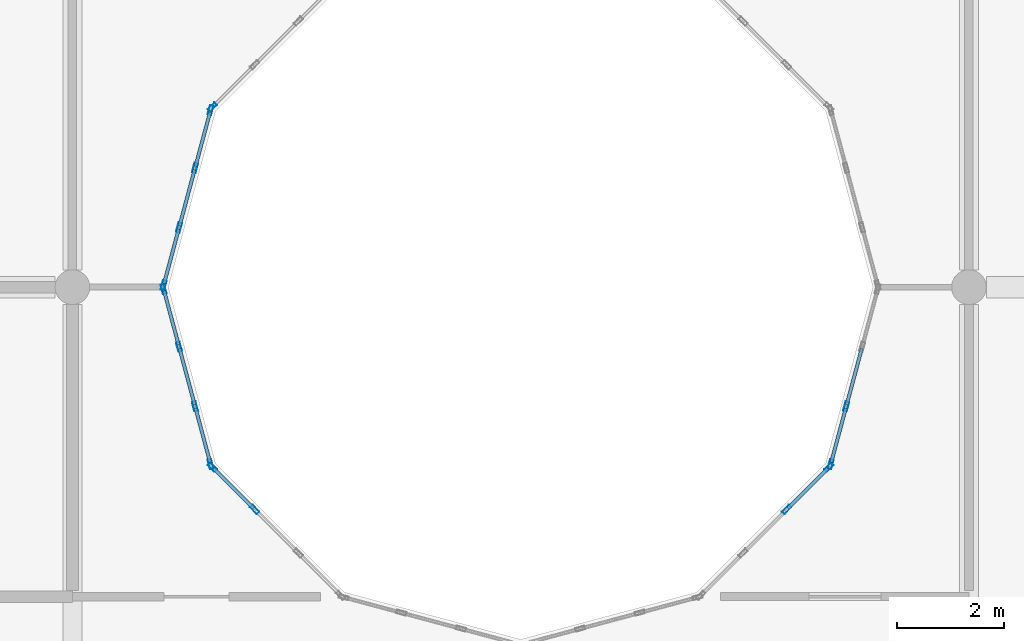
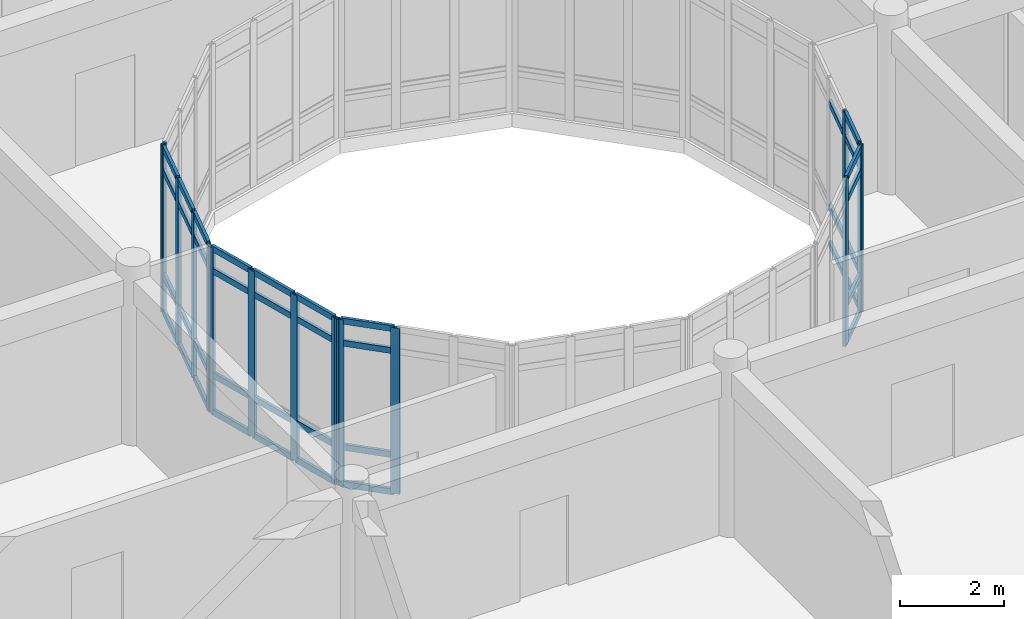
# One storey, part 20 of 119: 54 members, 6 elements without a shape of their own.
"""IFC4 building model written with IfcOpenShell, lengths in metres."""

from ifc_helpers import new_model, si_unit, direction, frame, origin, origin_2d, place, context, subcontext, project, spatial, hollow_rectangle, extrude, material, layer, layer_set, material_profile, profile_set, type_object, element, aggregate, save


model = new_model("IFC4")

# Units and contexts
model_context = context("Model", 3, precision=1e-05, world=origin(), true_north=direction((0.0, 1.0)))
body_context = subcontext(model_context, "Body", "Model", "MODEL_VIEW")
ifc_project = project(units=[si_unit("LENGTHUNIT", "METRE"), si_unit("AREAUNIT", "SQUARE_METRE"), si_unit("VOLUMEUNIT", "CUBIC_METRE"), si_unit("PLANEANGLEUNIT", "RADIAN"), si_unit("MASSUNIT", "GRAM", prefix="KILO")], contexts=[model_context])

# Site, building, storey
site_placement = place(None, origin())
site = spatial("IfcSite", under=ifc_project, at=site_placement, CompositionType="ELEMENT")
building_placement = place(site_placement, origin())
building = spatial("IfcBuilding", under=site, at=building_placement, Name="Bramfleet General Hospital", CompositionType="ELEMENT")
storey_placement = place(building_placement, frame((0.0, 0.0, 14.39990234375)))
storey = spatial("IfcBuildingStorey", under=building, at=storey_placement, Name="L03", CompositionType="ELEMENT", Elevation=14.39990234375)

# Curtain wall, members
ifc_material_1 = material(Name="Anodised aluminium and low-E triple glazing", Category="aluminium")
ifc_layer_1 = layer(ifc_material_1, 0.179931640625, Name="CWT-CW-17")
ifc_layer_set_1 = layer_set([ifc_layer_1], Name="Anodised aluminium and low-E triple glazing")
curtain_wall_type_1 = type_object("IfcCurtainWallType", Name="CWT-CW-17", PredefinedType="USERDEFINED", material=ifc_layer_set_1)
curtain_wall_1_placement = place(storey_placement, origin())
curtain_wall_1 = element("IfcCurtainWall", 1, at=curtain_wall_1_placement, inside=storey, type_object=curtain_wall_type_1, Name="L03 West Clinical Light Court Curtain Wall 1.1", ObjectType="Stick curtain wall", PredefinedType="USERDEFINED")
ifc_material_2 = material(Name="Anodised aluminium EN AW-6060", Category="aluminium")
ifc_material_profile_1 = material_profile(ifc_material_2, hollow_rectangle(XDim=0.070068359375, YDim=0.179931640625, WallThickness=0.00390625, at=origin_2d()), Name="ALU 180x70x4.0")
ifc_profile_set_1 = profile_set([ifc_material_profile_1], Name="Anodised aluminium EN AW-6060")
member_type_1 = type_object("IfcMemberType", Name="CWM-ALU180", PredefinedType="MULLION", material=ifc_profile_set_1)
member_1_placement = place(storey_placement, frame((18.509033203125, 83.96630859375, 0.0), z_axis=(0.0, 0.0, 1.0), x_axis=(0.965899136003, 0.25891863407, 0.0)))
member_1 = element("IfcMember", 2, at=member_1_placement, type_object=member_type_1, Name="CW-17 mullion 1", PredefinedType="MULLION", context=body_context, shape_type="SweptSolid", body=[
    extrude(hollow_rectangle(XDim=0.070068359375, YDim=0.179931640625, WallThickness=0.00390625, at=origin_2d()), origin(), (0.0, 0.0, 1.0), 3.89013671875),
])
member_2_placement = place(storey_placement, frame((18.79931640625, 82.88330078125, 0.0), z_axis=(0.0, 0.0, 1.0), x_axis=(0.965899136003, 0.25891863407, 0.0)))
member_2 = element("IfcMember", 3, at=member_2_placement, type_object=member_type_1, Name="CW-17 mullion 2", PredefinedType="MULLION", context=body_context, shape_type="SweptSolid", body=[
    extrude(hollow_rectangle(XDim=0.070068359375, YDim=0.179931640625, WallThickness=0.00390625, at=origin_2d()), origin(), (0.0, 0.0, 1.0), 3.89013671875),
])
member_3_placement = place(storey_placement, frame((19.0986328125, 81.7666015625, 0.0), z_axis=(0.0, 0.0, 1.0), x_axis=(0.965899136003, 0.25891863407, 0.0)))
member_3 = element("IfcMember", 4, at=member_3_placement, type_object=member_type_1, Name="CW-17 mullion 3", PredefinedType="MULLION", context=body_context, shape_type="SweptSolid", body=[
    extrude(hollow_rectangle(XDim=0.070068359375, YDim=0.179931640625, WallThickness=0.00390625, at=origin_2d()), origin(), (0.0, 0.0, 1.0), 3.89013671875),
])
member_4_placement = place(storey_placement, frame((19.388916015625, 80.683837890625, 0.0), z_axis=(0.0, 0.0, 1.0), x_axis=(0.965899136003, 0.25891863407, 0.0)))
member_4 = element("IfcMember", 5, at=member_4_placement, type_object=member_type_1, Name="CW-17 mullion 4", PredefinedType="MULLION", context=body_context, shape_type="SweptSolid", body=[
    extrude(hollow_rectangle(XDim=0.070068359375, YDim=0.179931640625, WallThickness=0.00390625, at=origin_2d()), origin(), (0.0, 0.0, 1.0), 3.89013671875),
])

ifc_layer_2 = layer(ifc_material_1, 0.179931640625, Name="CWT-CW-18")
ifc_layer_set_2 = layer_set([ifc_layer_2], Name="Anodised aluminium and low-E triple glazing")
curtain_wall_type_2 = type_object("IfcCurtainWallType", Name="CWT-CW-18", PredefinedType="USERDEFINED", material=ifc_layer_set_2)
curtain_wall_2_placement = place(storey_placement, origin())
curtain_wall_2 = element("IfcCurtainWall", 6, at=curtain_wall_2_placement, inside=storey, type_object=curtain_wall_type_2, Name="L03 West Clinical Light Court Curtain Wall 2.1", ObjectType="Stick curtain wall", PredefinedType="USERDEFINED")
member_5_placement = place(storey_placement, frame((19.4228515625, 80.625244140625, 0.0), z_axis=(0.0, 0.0, 1.0), x_axis=(0.707106781187, 0.707106781187, 0.0)))
member_5 = element("IfcMember", 7, at=member_5_placement, type_object=member_type_1, Name="CW-18 mullion 1", PredefinedType="MULLION", context=body_context, shape_type="SweptSolid", body=[
    extrude(hollow_rectangle(XDim=0.070068359375, YDim=0.179931640625, WallThickness=0.00390625, at=origin_2d()), origin(), (0.0, 0.0, 1.0), 3.89013671875),
])
member_6_placement = place(storey_placement, frame((20.21533203125, 79.832763671875, 0.0), z_axis=(0.0, 0.0, 1.0), x_axis=(0.707106781187, 0.707106781187, 0.0)))
member_6 = element("IfcMember", 8, at=member_6_placement, type_object=member_type_1, Name="CW-18 mullion 2", PredefinedType="MULLION", context=body_context, shape_type="SweptSolid", body=[
    extrude(hollow_rectangle(XDim=0.070068359375, YDim=0.179931640625, WallThickness=0.00390625, at=origin_2d()), origin(), (0.0, 0.0, 1.0), 3.89013671875),
])

ifc_layer_3 = layer(ifc_material_1, 0.179931640625, Name="CWT-CW-13")
ifc_layer_set_3 = layer_set([ifc_layer_3], Name="Anodised aluminium and low-E triple glazing")
curtain_wall_type_3 = type_object("IfcCurtainWallType", Name="CWT-CW-13", PredefinedType="USERDEFINED", material=ifc_layer_set_3)
curtain_wall_3_placement = place(storey_placement, origin())
curtain_wall_3 = element("IfcCurtainWall", 9, at=curtain_wall_3_placement, inside=storey, type_object=curtain_wall_type_3, Name="L03 West Clinical Light Court Curtain Wall 5.1", ObjectType="Stick curtain wall", PredefinedType="USERDEFINED")
member_7_placement = place(storey_placement, frame((30.1845703125, 79.832763671875, 0.0), z_axis=(0.0, 0.0, 1.0), x_axis=(-0.707106781187, 0.707106781187, 0.0)))
member_7 = element("IfcMember", 10, at=member_7_placement, type_object=member_type_1, Name="CW-13 mullion 3", PredefinedType="MULLION", context=body_context, shape_type="SweptSolid", body=[
    extrude(hollow_rectangle(XDim=0.070068359375, YDim=0.179931640625, WallThickness=0.00390625, at=origin_2d()), origin(), (0.0, 0.0, 1.0), 3.89013671875),
])
member_8_placement = place(storey_placement, frame((30.977294921875, 80.625244140625, 0.0), z_axis=(0.0, 0.0, 1.0), x_axis=(-0.707106781187, 0.707106781187, 0.0)))
member_8 = element("IfcMember", 11, at=member_8_placement, type_object=member_type_1, Name="CW-13 mullion 4", PredefinedType="MULLION", context=body_context, shape_type="SweptSolid", body=[
    extrude(hollow_rectangle(XDim=0.070068359375, YDim=0.179931640625, WallThickness=0.00390625, at=origin_2d()), origin(), (0.0, 0.0, 1.0), 3.89013671875),
])

ifc_layer_4 = layer(ifc_material_1, 0.179931640625, Name="CWT-CW-14")
ifc_layer_set_4 = layer_set([ifc_layer_4], Name="Anodised aluminium and low-E triple glazing")
curtain_wall_type_4 = type_object("IfcCurtainWallType", Name="CWT-CW-14", PredefinedType="USERDEFINED", material=ifc_layer_set_4)
curtain_wall_4_placement = place(storey_placement, origin())
curtain_wall_4 = element("IfcCurtainWall", 12, at=curtain_wall_4_placement, inside=storey, type_object=curtain_wall_type_4, Name="L03 West Clinical Light Court Curtain Wall 6.1", ObjectType="Stick curtain wall", PredefinedType="USERDEFINED")
member_9_placement = place(storey_placement, frame((31.010986328125, 80.683837890625, 0.0), z_axis=(0.0, 0.0, 1.0), x_axis=(-0.965899136003, 0.25891863407, 0.0)))
member_9 = element("IfcMember", 13, at=member_9_placement, type_object=member_type_1, Name="CW-14 mullion 1", PredefinedType="MULLION", context=body_context, shape_type="SweptSolid", body=[
    extrude(hollow_rectangle(XDim=0.070068359375, YDim=0.179931640625, WallThickness=0.00390625, at=origin_2d()), origin(), (0.0, 0.0, 1.0), 3.89013671875),
])
member_10_placement = place(storey_placement, frame((31.30126953125, 81.7666015625, 0.0), z_axis=(0.0, 0.0, 1.0), x_axis=(-0.965899136003, 0.25891863407, 0.0)))
member_10 = element("IfcMember", 14, at=member_10_placement, type_object=member_type_1, Name="CW-14 mullion 2", PredefinedType="MULLION", context=body_context, shape_type="SweptSolid", body=[
    extrude(hollow_rectangle(XDim=0.070068359375, YDim=0.179931640625, WallThickness=0.00390625, at=origin_2d()), origin(), (0.0, 0.0, 1.0), 3.89013671875),
])

# Curtain wall, member
ifc_layer_5 = layer(ifc_material_1, 0.179931640625, Name="CWT-CW-11")
ifc_layer_set_5 = layer_set([ifc_layer_5], Name="Anodised aluminium and low-E triple glazing")
curtain_wall_type_5 = type_object("IfcCurtainWallType", Name="CWT-CW-11", PredefinedType="USERDEFINED", material=ifc_layer_set_5)
curtain_wall_5_placement = place(storey_placement, origin())
curtain_wall_5 = element("IfcCurtainWall", 15, at=curtain_wall_5_placement, inside=storey, type_object=curtain_wall_type_5, Name="L03 West Clinical Light Court Curtain Wall 11.1", ObjectType="Stick curtain wall", PredefinedType="USERDEFINED")
member_11_placement = place(storey_placement, frame((19.4228515625, 87.374755859375, 0.0), z_axis=(0.0, 0.0, 1.0), x_axis=(0.707106781187, -0.707106781187, 0.0)))
member_11 = element("IfcMember", 16, at=member_11_placement, type_object=member_type_1, Name="CW-11 mullion 4", PredefinedType="MULLION", context=body_context, shape_type="SweptSolid", body=[
    extrude(hollow_rectangle(XDim=0.070068359375, YDim=0.179931640625, WallThickness=0.00390625, at=origin_2d()), origin(), (0.0, 0.0, 1.0), 3.89013671875),
])
aggregate(curtain_wall_5, [member_11])

# Curtain wall, members
ifc_layer_6 = layer(ifc_material_1, 0.179931640625, Name="CWT-CW-12")
ifc_layer_set_6 = layer_set([ifc_layer_6], Name="Anodised aluminium and low-E triple glazing")
curtain_wall_type_6 = type_object("IfcCurtainWallType", Name="CWT-CW-12", PredefinedType="USERDEFINED", material=ifc_layer_set_6)
curtain_wall_6_placement = place(storey_placement, origin())
curtain_wall_6 = element("IfcCurtainWall", 17, at=curtain_wall_6_placement, inside=storey, type_object=curtain_wall_type_6, Name="L03 West Clinical Light Court Curtain Wall 12.1", ObjectType="Stick curtain wall", PredefinedType="USERDEFINED")
member_12_placement = place(storey_placement, frame((19.388916015625, 87.316162109375, 0.0), z_axis=(0.0, 0.0, 1.0), x_axis=(0.965899136003, -0.25891863407, 0.0)))
member_12 = element("IfcMember", 18, at=member_12_placement, type_object=member_type_1, Name="CW-12 mullion 1", PredefinedType="MULLION", context=body_context, shape_type="SweptSolid", body=[
    extrude(hollow_rectangle(XDim=0.070068359375, YDim=0.179931640625, WallThickness=0.00390625, at=origin_2d()), origin(), (0.0, 0.0, 1.0), 3.89013671875),
])
member_13_placement = place(storey_placement, frame((19.0986328125, 86.2333984375, 0.0), z_axis=(0.0, 0.0, 1.0), x_axis=(0.965899136003, -0.25891863407, 0.0)))
member_13 = element("IfcMember", 19, at=member_13_placement, type_object=member_type_1, Name="CW-12 mullion 2", PredefinedType="MULLION", context=body_context, shape_type="SweptSolid", body=[
    extrude(hollow_rectangle(XDim=0.070068359375, YDim=0.179931640625, WallThickness=0.00390625, at=origin_2d()), origin(), (0.0, 0.0, 1.0), 3.89013671875),
])
member_14_placement = place(storey_placement, frame((18.79931640625, 85.11669921875, 0.0), z_axis=(0.0, 0.0, 1.0), x_axis=(0.965899136003, -0.25891863407, 0.0)))
member_14 = element("IfcMember", 20, at=member_14_placement, type_object=member_type_1, Name="CW-12 mullion 3", PredefinedType="MULLION", context=body_context, shape_type="SweptSolid", body=[
    extrude(hollow_rectangle(XDim=0.070068359375, YDim=0.179931640625, WallThickness=0.00390625, at=origin_2d()), origin(), (0.0, 0.0, 1.0), 3.89013671875),
])
member_15_placement = place(storey_placement, frame((18.509033203125, 84.03369140625, 0.0), z_axis=(0.0, 0.0, 1.0), x_axis=(0.965899136003, -0.25891863407, 0.0)))
member_15 = element("IfcMember", 21, at=member_15_placement, type_object=member_type_1, Name="CW-12 mullion 4", PredefinedType="MULLION", context=body_context, shape_type="SweptSolid", body=[
    extrude(hollow_rectangle(XDim=0.070068359375, YDim=0.179931640625, WallThickness=0.00390625, at=origin_2d()), origin(), (0.0, 0.0, 1.0), 3.89013671875),
])

# Member
ifc_material_profile_2 = material_profile(ifc_material_2, hollow_rectangle(XDim=0.06494140625, YDim=0.139892578125, WallThickness=0.00390625, at=origin_2d()), Name="ALU 140x65x4.0")
ifc_profile_set_2 = profile_set([ifc_material_profile_2], Name="Anodised aluminium EN AW-6060")
member_type_2 = type_object("IfcMemberType", Name="CWT-ALU140", PredefinedType="USERDEFINED", material=ifc_profile_set_2)
member_16_placement = place(storey_placement, frame((18.51806640625, 83.932373046875, 0.03271484375), z_axis=(0.259007003236, -0.965875443458, 0.0), x_axis=(0.965875443458, 0.259007003236, 0.0)))
member_16 = element("IfcMember", 22, at=member_16_placement, type_object=member_type_2, Name="CW-17 transom 1.1", ObjectType="TRANSOM", PredefinedType="USERDEFINED", context=body_context, shape_type="SweptSolid", body=[
    extrude(hollow_rectangle(XDim=0.06494140625, YDim=0.139892578125, WallThickness=0.00390625, at=origin_2d()), origin(), (0.0, 0.0, 1.0), 1.051025390625),
])

member_17_placement = place(storey_placement, frame((18.51806640625, 83.932373046875, 0.900146484375), z_axis=(0.259007003236, -0.965875443458, 0.0), x_axis=(0.965875443458, 0.259007003236, 0.0)))
member_17 = element("IfcMember", 23, at=member_17_placement, type_object=member_type_2, Name="CW-17 transom 1.2", ObjectType="TRANSOM", PredefinedType="USERDEFINED", context=body_context, shape_type="SweptSolid", body=[
    extrude(hollow_rectangle(XDim=0.06494140625, YDim=0.139892578125, WallThickness=0.00390625, at=origin_2d()), origin(), (0.0, 0.0, 1.0), 1.051025390625),
])

member_18_placement = place(storey_placement, frame((18.51806640625, 83.932373046875, 3.340087890625), z_axis=(0.259007003236, -0.965875443458, 0.0), x_axis=(0.965875443458, 0.259007003236, 0.0)))
member_18 = element("IfcMember", 24, at=member_18_placement, type_object=member_type_2, Name="CW-17 transom 1.3", ObjectType="TRANSOM", PredefinedType="USERDEFINED", context=body_context, shape_type="SweptSolid", body=[
    extrude(hollow_rectangle(XDim=0.06494140625, YDim=0.139892578125, WallThickness=0.00390625, at=origin_2d()), origin(), (0.0, 0.0, 1.0), 1.051025390625),
])

member_19_placement = place(storey_placement, frame((18.51806640625, 83.932373046875, 3.857666015625), z_axis=(0.259007003236, -0.965875443458, 0.0), x_axis=(0.965875443458, 0.259007003236, 0.0)))
member_19 = element("IfcMember", 25, at=member_19_placement, type_object=member_type_2, Name="CW-17 transom 1.4", ObjectType="TRANSOM", PredefinedType="USERDEFINED", context=body_context, shape_type="SweptSolid", body=[
    extrude(hollow_rectangle(XDim=0.06494140625, YDim=0.139892578125, WallThickness=0.00390625, at=origin_2d()), origin(), (0.0, 0.0, 1.0), 1.051025390625),
])

member_20_placement = place(storey_placement, frame((18.808349609375, 82.849609375, 0.03271484375), z_axis=(0.258949558843, -0.965890845787, 0.0), x_axis=(0.965890845787, 0.258949558843, 0.0)))
member_20 = element("IfcMember", 26, at=member_20_placement, type_object=member_type_2, Name="CW-17 transom 2.1", ObjectType="TRANSOM", PredefinedType="USERDEFINED", context=body_context, shape_type="SweptSolid", body=[
    extrude(hollow_rectangle(XDim=0.06494140625, YDim=0.139892578125, WallThickness=0.00390625, at=origin_2d()), origin(), (0.0, 0.0, 1.0), 1.086181640625),
])

member_21_placement = place(storey_placement, frame((18.808349609375, 82.849609375, 0.900146484375), z_axis=(0.258949558843, -0.965890845787, 0.0), x_axis=(0.965890845787, 0.258949558843, 0.0)))
member_21 = element("IfcMember", 27, at=member_21_placement, type_object=member_type_2, Name="CW-17 transom 2.2", ObjectType="TRANSOM", PredefinedType="USERDEFINED", context=body_context, shape_type="SweptSolid", body=[
    extrude(hollow_rectangle(XDim=0.06494140625, YDim=0.139892578125, WallThickness=0.00390625, at=origin_2d()), origin(), (0.0, 0.0, 1.0), 1.086181640625),
])

member_22_placement = place(storey_placement, frame((18.808349609375, 82.849609375, 3.340087890625), z_axis=(0.258949558843, -0.965890845787, 0.0), x_axis=(0.965890845787, 0.258949558843, 0.0)))
member_22 = element("IfcMember", 28, at=member_22_placement, type_object=member_type_2, Name="CW-17 transom 2.3", ObjectType="TRANSOM", PredefinedType="USERDEFINED", context=body_context, shape_type="SweptSolid", body=[
    extrude(hollow_rectangle(XDim=0.06494140625, YDim=0.139892578125, WallThickness=0.00390625, at=origin_2d()), origin(), (0.0, 0.0, 1.0), 1.086181640625),
])

member_23_placement = place(storey_placement, frame((18.808349609375, 82.849609375, 3.857666015625), z_axis=(0.258949558843, -0.965890845787, 0.0), x_axis=(0.965890845787, 0.258949558843, 0.0)))
member_23 = element("IfcMember", 29, at=member_23_placement, type_object=member_type_2, Name="CW-17 transom 2.4", ObjectType="TRANSOM", PredefinedType="USERDEFINED", context=body_context, shape_type="SweptSolid", body=[
    extrude(hollow_rectangle(XDim=0.06494140625, YDim=0.139892578125, WallThickness=0.00390625, at=origin_2d()), origin(), (0.0, 0.0, 1.0), 1.086181640625),
])

member_24_placement = place(storey_placement, frame((19.107666015625, 81.73291015625, 0.03271484375), z_axis=(0.258948903342, -0.965891021523, 0.0), x_axis=(0.965891021523, 0.258948903342, 0.0)))
member_24 = element("IfcMember", 30, at=member_24_placement, type_object=member_type_2, Name="CW-17 transom 3.1", ObjectType="TRANSOM", PredefinedType="USERDEFINED", context=body_context, shape_type="SweptSolid", body=[
    extrude(hollow_rectangle(XDim=0.06494140625, YDim=0.139892578125, WallThickness=0.00390625, at=origin_2d()), origin(), (0.0, 0.0, 1.0), 1.05126953125),
])

member_25_placement = place(storey_placement, frame((19.107666015625, 81.73291015625, 0.900146484375), z_axis=(0.258948903342, -0.965891021523, 0.0), x_axis=(0.965891021523, 0.258948903342, 0.0)))
member_25 = element("IfcMember", 31, at=member_25_placement, type_object=member_type_2, Name="CW-17 transom 3.2", ObjectType="TRANSOM", PredefinedType="USERDEFINED", context=body_context, shape_type="SweptSolid", body=[
    extrude(hollow_rectangle(XDim=0.06494140625, YDim=0.139892578125, WallThickness=0.00390625, at=origin_2d()), origin(), (0.0, 0.0, 1.0), 1.05126953125),
])

member_26_placement = place(storey_placement, frame((19.107666015625, 81.73291015625, 3.340087890625), z_axis=(0.258948903342, -0.965891021523, 0.0), x_axis=(0.965891021523, 0.258948903342, 0.0)))
member_26 = element("IfcMember", 32, at=member_26_placement, type_object=member_type_2, Name="CW-17 transom 3.3", ObjectType="TRANSOM", PredefinedType="USERDEFINED", context=body_context, shape_type="SweptSolid", body=[
    extrude(hollow_rectangle(XDim=0.06494140625, YDim=0.139892578125, WallThickness=0.00390625, at=origin_2d()), origin(), (0.0, 0.0, 1.0), 1.05126953125),
])

member_27_placement = place(storey_placement, frame((19.107666015625, 81.73291015625, 3.857666015625), z_axis=(0.258948903342, -0.965891021523, 0.0), x_axis=(0.965891021523, 0.258948903342, 0.0)))
member_27 = element("IfcMember", 33, at=member_27_placement, type_object=member_type_2, Name="CW-17 transom 3.4", ObjectType="TRANSOM", PredefinedType="USERDEFINED", context=body_context, shape_type="SweptSolid", body=[
    extrude(hollow_rectangle(XDim=0.06494140625, YDim=0.139892578125, WallThickness=0.00390625, at=origin_2d()), origin(), (0.0, 0.0, 1.0), 1.05126953125),
])

aggregate(curtain_wall_1, [member_1, member_2, member_3, member_4, member_16, member_17, member_18, member_19, member_20, member_21, member_22, member_23, member_24, member_25, member_26, member_27])

member_28_placement = place(storey_placement, frame((19.447509765625, 80.6005859375, 0.03271484375), z_axis=(0.707106781187, -0.707106781187, 0.0), x_axis=(0.707106781187, 0.707106781187, 0.0)))
member_28 = element("IfcMember", 34, at=member_28_placement, type_object=member_type_2, Name="CW-18 transom 1.1", ObjectType="TRANSOM", PredefinedType="USERDEFINED", context=body_context, shape_type="SweptSolid", body=[
    extrude(hollow_rectangle(XDim=0.06494140625, YDim=0.139892578125, WallThickness=0.00390625, at=origin_2d()), origin(), (0.0, 0.0, 1.0), 1.051025390625),
])

member_29_placement = place(storey_placement, frame((19.447509765625, 80.6005859375, 0.900146484375), z_axis=(0.707106781187, -0.707106781187, 0.0), x_axis=(0.707106781187, 0.707106781187, 0.0)))
member_29 = element("IfcMember", 35, at=member_29_placement, type_object=member_type_2, Name="CW-18 transom 1.2", ObjectType="TRANSOM", PredefinedType="USERDEFINED", context=body_context, shape_type="SweptSolid", body=[
    extrude(hollow_rectangle(XDim=0.06494140625, YDim=0.139892578125, WallThickness=0.00390625, at=origin_2d()), origin(), (0.0, 0.0, 1.0), 1.051025390625),
])

member_30_placement = place(storey_placement, frame((19.447509765625, 80.6005859375, 3.340087890625), z_axis=(0.707106781187, -0.707106781187, 0.0), x_axis=(0.707106781187, 0.707106781187, 0.0)))
member_30 = element("IfcMember", 36, at=member_30_placement, type_object=member_type_2, Name="CW-18 transom 1.3", ObjectType="TRANSOM", PredefinedType="USERDEFINED", context=body_context, shape_type="SweptSolid", body=[
    extrude(hollow_rectangle(XDim=0.06494140625, YDim=0.139892578125, WallThickness=0.00390625, at=origin_2d()), origin(), (0.0, 0.0, 1.0), 1.051025390625),
])

member_31_placement = place(storey_placement, frame((19.447509765625, 80.6005859375, 3.857666015625), z_axis=(0.707106781187, -0.707106781187, 0.0), x_axis=(0.707106781187, 0.707106781187, 0.0)))
member_31 = element("IfcMember", 37, at=member_31_placement, type_object=member_type_2, Name="CW-18 transom 1.4", ObjectType="TRANSOM", PredefinedType="USERDEFINED", context=body_context, shape_type="SweptSolid", body=[
    extrude(hollow_rectangle(XDim=0.06494140625, YDim=0.139892578125, WallThickness=0.00390625, at=origin_2d()), origin(), (0.0, 0.0, 1.0), 1.051025390625),
])

aggregate(curtain_wall_2, [member_5, member_6, member_28, member_29, member_30, member_31])

member_32_placement = place(storey_placement, frame((30.20947265625, 79.857421875, 0.03271484375), z_axis=(0.706990604933, 0.707222938356, 0.0), x_axis=(-0.707222938356, 0.706990604933, 0.0)))
member_32 = element("IfcMember", 38, at=member_32_placement, type_object=member_type_2, Name="CW-13 transom 3.1", ObjectType="TRANSOM", PredefinedType="USERDEFINED", context=body_context, shape_type="SweptSolid", body=[
    extrude(hollow_rectangle(XDim=0.06494140625, YDim=0.139892578125, WallThickness=0.00390625, at=origin_2d()), origin(), (0.0, 0.0, 1.0), 1.05078125),
])

member_33_placement = place(storey_placement, frame((30.20947265625, 79.857421875, 0.900146484375), z_axis=(0.706990604933, 0.707222938356, 0.0), x_axis=(-0.707222938356, 0.706990604933, 0.0)))
member_33 = element("IfcMember", 39, at=member_33_placement, type_object=member_type_2, Name="CW-13 transom 3.2", ObjectType="TRANSOM", PredefinedType="USERDEFINED", context=body_context, shape_type="SweptSolid", body=[
    extrude(hollow_rectangle(XDim=0.06494140625, YDim=0.139892578125, WallThickness=0.00390625, at=origin_2d()), origin(), (0.0, 0.0, 1.0), 1.05078125),
])

member_34_placement = place(storey_placement, frame((30.20947265625, 79.857421875, 3.340087890625), z_axis=(0.706990604933, 0.707222938356, 0.0), x_axis=(-0.707222938356, 0.706990604933, 0.0)))
member_34 = element("IfcMember", 40, at=member_34_placement, type_object=member_type_2, Name="CW-13 transom 3.3", ObjectType="TRANSOM", PredefinedType="USERDEFINED", context=body_context, shape_type="SweptSolid", body=[
    extrude(hollow_rectangle(XDim=0.06494140625, YDim=0.139892578125, WallThickness=0.00390625, at=origin_2d()), origin(), (0.0, 0.0, 1.0), 1.05078125),
])

member_35_placement = place(storey_placement, frame((30.20947265625, 79.857421875, 3.857666015625), z_axis=(0.706990604933, 0.707222938356, 0.0), x_axis=(-0.707222938356, 0.706990604933, 0.0)))
member_35 = element("IfcMember", 41, at=member_35_placement, type_object=member_type_2, Name="CW-13 transom 3.4", ObjectType="TRANSOM", PredefinedType="USERDEFINED", context=body_context, shape_type="SweptSolid", body=[
    extrude(hollow_rectangle(XDim=0.06494140625, YDim=0.139892578125, WallThickness=0.00390625, at=origin_2d()), origin(), (0.0, 0.0, 1.0), 1.05078125),
])

aggregate(curtain_wall_3, [member_7, member_8, member_32, member_33, member_34, member_35])

member_36_placement = place(storey_placement, frame((31.02001953125, 80.717529296875, 0.03271484375), z_axis=(0.258948903342, 0.965891021523, 0.0), x_axis=(-0.965891021523, 0.258948903342, 0.0)))
member_36 = element("IfcMember", 42, at=member_36_placement, type_object=member_type_2, Name="CW-14 transom 1.1", ObjectType="TRANSOM", PredefinedType="USERDEFINED", context=body_context, shape_type="SweptSolid", body=[
    extrude(hollow_rectangle(XDim=0.06494140625, YDim=0.139892578125, WallThickness=0.00390625, at=origin_2d()), origin(), (0.0, 0.0, 1.0), 1.05126953125),
])

member_37_placement = place(storey_placement, frame((31.02001953125, 80.717529296875, 0.900146484375), z_axis=(0.258948903342, 0.965891021523, 0.0), x_axis=(-0.965891021523, 0.258948903342, 0.0)))
member_37 = element("IfcMember", 43, at=member_37_placement, type_object=member_type_2, Name="CW-14 transom 1.2", ObjectType="TRANSOM", PredefinedType="USERDEFINED", context=body_context, shape_type="SweptSolid", body=[
    extrude(hollow_rectangle(XDim=0.06494140625, YDim=0.139892578125, WallThickness=0.00390625, at=origin_2d()), origin(), (0.0, 0.0, 1.0), 1.05126953125),
])

member_38_placement = place(storey_placement, frame((31.02001953125, 80.717529296875, 3.340087890625), z_axis=(0.258948903342, 0.965891021523, 0.0), x_axis=(-0.965891021523, 0.258948903342, 0.0)))
member_38 = element("IfcMember", 44, at=member_38_placement, type_object=member_type_2, Name="CW-14 transom 1.3", ObjectType="TRANSOM", PredefinedType="USERDEFINED", context=body_context, shape_type="SweptSolid", body=[
    extrude(hollow_rectangle(XDim=0.06494140625, YDim=0.139892578125, WallThickness=0.00390625, at=origin_2d()), origin(), (0.0, 0.0, 1.0), 1.05126953125),
])

member_39_placement = place(storey_placement, frame((31.02001953125, 80.717529296875, 3.857666015625), z_axis=(0.258948903342, 0.965891021523, 0.0), x_axis=(-0.965891021523, 0.258948903342, 0.0)))
member_39 = element("IfcMember", 45, at=member_39_placement, type_object=member_type_2, Name="CW-14 transom 1.4", ObjectType="TRANSOM", PredefinedType="USERDEFINED", context=body_context, shape_type="SweptSolid", body=[
    extrude(hollow_rectangle(XDim=0.06494140625, YDim=0.139892578125, WallThickness=0.00390625, at=origin_2d()), origin(), (0.0, 0.0, 1.0), 1.05126953125),
])

member_40_placement = place(storey_placement, frame((31.310302734375, 81.800537109375, 0.03271484375), z_axis=(0.258949558843, 0.965890845787, 0.0), x_axis=(-0.965890845787, 0.258949558843, 0.0)))
member_40 = element("IfcMember", 46, at=member_40_placement, type_object=member_type_2, Name="CW-14 transom 2.1", ObjectType="TRANSOM", PredefinedType="USERDEFINED", context=body_context, shape_type="SweptSolid", body=[
    extrude(hollow_rectangle(XDim=0.06494140625, YDim=0.139892578125, WallThickness=0.00390625, at=origin_2d()), origin(), (0.0, 0.0, 1.0), 1.086181640625),
])

member_41_placement = place(storey_placement, frame((31.310302734375, 81.800537109375, 0.900146484375), z_axis=(0.258949558843, 0.965890845787, 0.0), x_axis=(-0.965890845787, 0.258949558843, 0.0)))
member_41 = element("IfcMember", 47, at=member_41_placement, type_object=member_type_2, Name="CW-14 transom 2.2", ObjectType="TRANSOM", PredefinedType="USERDEFINED", context=body_context, shape_type="SweptSolid", body=[
    extrude(hollow_rectangle(XDim=0.06494140625, YDim=0.139892578125, WallThickness=0.00390625, at=origin_2d()), origin(), (0.0, 0.0, 1.0), 1.086181640625),
])

member_42_placement = place(storey_placement, frame((31.310302734375, 81.800537109375, 3.340087890625), z_axis=(0.258949558843, 0.965890845787, 0.0), x_axis=(-0.965890845787, 0.258949558843, 0.0)))
member_42 = element("IfcMember", 48, at=member_42_placement, type_object=member_type_2, Name="CW-14 transom 2.3", ObjectType="TRANSOM", PredefinedType="USERDEFINED", context=body_context, shape_type="SweptSolid", body=[
    extrude(hollow_rectangle(XDim=0.06494140625, YDim=0.139892578125, WallThickness=0.00390625, at=origin_2d()), origin(), (0.0, 0.0, 1.0), 1.086181640625),
])

aggregate(curtain_wall_4, [member_9, member_10, member_36, member_37, member_38, member_39, member_40, member_41, member_42])

member_43_placement = place(storey_placement, frame((19.3798828125, 87.282470703125, 0.03271484375), z_axis=(-0.258948903342, -0.965891021523, 0.0), x_axis=(0.965891021523, -0.258948903342, 0.0)))
member_43 = element("IfcMember", 49, at=member_43_placement, type_object=member_type_2, Name="CW-12 transom 1.1", ObjectType="TRANSOM", PredefinedType="USERDEFINED", context=body_context, shape_type="SweptSolid", body=[
    extrude(hollow_rectangle(XDim=0.06494140625, YDim=0.139892578125, WallThickness=0.00390625, at=origin_2d()), origin(), (0.0, 0.0, 1.0), 1.05126953125),
])

member_44_placement = place(storey_placement, frame((19.3798828125, 87.282470703125, 0.900146484375), z_axis=(-0.258948903342, -0.965891021523, 0.0), x_axis=(0.965891021523, -0.258948903342, 0.0)))
member_44 = element("IfcMember", 50, at=member_44_placement, type_object=member_type_2, Name="CW-12 transom 1.2", ObjectType="TRANSOM", PredefinedType="USERDEFINED", context=body_context, shape_type="SweptSolid", body=[
    extrude(hollow_rectangle(XDim=0.06494140625, YDim=0.139892578125, WallThickness=0.00390625, at=origin_2d()), origin(), (0.0, 0.0, 1.0), 1.05126953125),
])

member_45_placement = place(storey_placement, frame((19.3798828125, 87.282470703125, 3.340087890625), z_axis=(-0.258948903342, -0.965891021523, 0.0), x_axis=(0.965891021523, -0.258948903342, 0.0)))
member_45 = element("IfcMember", 51, at=member_45_placement, type_object=member_type_2, Name="CW-12 transom 1.3", ObjectType="TRANSOM", PredefinedType="USERDEFINED", context=body_context, shape_type="SweptSolid", body=[
    extrude(hollow_rectangle(XDim=0.06494140625, YDim=0.139892578125, WallThickness=0.00390625, at=origin_2d()), origin(), (0.0, 0.0, 1.0), 1.05126953125),
])

member_46_placement = place(storey_placement, frame((19.3798828125, 87.282470703125, 3.857666015625), z_axis=(-0.258948903342, -0.965891021523, 0.0), x_axis=(0.965891021523, -0.258948903342, 0.0)))
member_46 = element("IfcMember", 52, at=member_46_placement, type_object=member_type_2, Name="CW-12 transom 1.4", ObjectType="TRANSOM", PredefinedType="USERDEFINED", context=body_context, shape_type="SweptSolid", body=[
    extrude(hollow_rectangle(XDim=0.06494140625, YDim=0.139892578125, WallThickness=0.00390625, at=origin_2d()), origin(), (0.0, 0.0, 1.0), 1.05126953125),
])

member_47_placement = place(storey_placement, frame((19.089599609375, 86.199462890625, 0.03271484375), z_axis=(-0.258949558843, -0.965890845787, 0.0), x_axis=(0.965890845787, -0.258949558843, 0.0)))
member_47 = element("IfcMember", 53, at=member_47_placement, type_object=member_type_2, Name="CW-12 transom 2.1", ObjectType="TRANSOM", PredefinedType="USERDEFINED", context=body_context, shape_type="SweptSolid", body=[
    extrude(hollow_rectangle(XDim=0.06494140625, YDim=0.139892578125, WallThickness=0.00390625, at=origin_2d()), origin(), (0.0, 0.0, 1.0), 1.086181640625),
])

member_48_placement = place(storey_placement, frame((19.089599609375, 86.199462890625, 0.900146484375), z_axis=(-0.258949558843, -0.965890845787, 0.0), x_axis=(0.965890845787, -0.258949558843, 0.0)))
member_48 = element("IfcMember", 54, at=member_48_placement, type_object=member_type_2, Name="CW-12 transom 2.2", ObjectType="TRANSOM", PredefinedType="USERDEFINED", context=body_context, shape_type="SweptSolid", body=[
    extrude(hollow_rectangle(XDim=0.06494140625, YDim=0.139892578125, WallThickness=0.00390625, at=origin_2d()), origin(), (0.0, 0.0, 1.0), 1.086181640625),
])

member_49_placement = place(storey_placement, frame((19.089599609375, 86.199462890625, 3.340087890625), z_axis=(-0.258949558843, -0.965890845787, 0.0), x_axis=(0.965890845787, -0.258949558843, 0.0)))
member_49 = element("IfcMember", 55, at=member_49_placement, type_object=member_type_2, Name="CW-12 transom 2.3", ObjectType="TRANSOM", PredefinedType="USERDEFINED", context=body_context, shape_type="SweptSolid", body=[
    extrude(hollow_rectangle(XDim=0.06494140625, YDim=0.139892578125, WallThickness=0.00390625, at=origin_2d()), origin(), (0.0, 0.0, 1.0), 1.086181640625),
])

member_50_placement = place(storey_placement, frame((19.089599609375, 86.199462890625, 3.857666015625), z_axis=(-0.258949558843, -0.965890845787, 0.0), x_axis=(0.965890845787, -0.258949558843, 0.0)))
member_50 = element("IfcMember", 56, at=member_50_placement, type_object=member_type_2, Name="CW-12 transom 2.4", ObjectType="TRANSOM", PredefinedType="USERDEFINED", context=body_context, shape_type="SweptSolid", body=[
    extrude(hollow_rectangle(XDim=0.06494140625, YDim=0.139892578125, WallThickness=0.00390625, at=origin_2d()), origin(), (0.0, 0.0, 1.0), 1.086181640625),
])

member_51_placement = place(storey_placement, frame((18.790283203125, 85.082763671875, 0.03271484375), z_axis=(-0.259007003236, -0.965875443458, 0.0), x_axis=(0.965875443458, -0.259007003236, 0.0)))
member_51 = element("IfcMember", 57, at=member_51_placement, type_object=member_type_2, Name="CW-12 transom 3.1", ObjectType="TRANSOM", PredefinedType="USERDEFINED", context=body_context, shape_type="SweptSolid", body=[
    extrude(hollow_rectangle(XDim=0.06494140625, YDim=0.139892578125, WallThickness=0.00390625, at=origin_2d()), origin(), (0.0, 0.0, 1.0), 1.051025390625),
])

member_52_placement = place(storey_placement, frame((18.790283203125, 85.082763671875, 0.900146484375), z_axis=(-0.259007003236, -0.965875443458, 0.0), x_axis=(0.965875443458, -0.259007003236, 0.0)))
member_52 = element("IfcMember", 58, at=member_52_placement, type_object=member_type_2, Name="CW-12 transom 3.2", ObjectType="TRANSOM", PredefinedType="USERDEFINED", context=body_context, shape_type="SweptSolid", body=[
    extrude(hollow_rectangle(XDim=0.06494140625, YDim=0.139892578125, WallThickness=0.00390625, at=origin_2d()), origin(), (0.0, 0.0, 1.0), 1.051025390625),
])

member_53_placement = place(storey_placement, frame((18.790283203125, 85.082763671875, 3.340087890625), z_axis=(-0.259007003236, -0.965875443458, 0.0), x_axis=(0.965875443458, -0.259007003236, 0.0)))
member_53 = element("IfcMember", 59, at=member_53_placement, type_object=member_type_2, Name="CW-12 transom 3.3", ObjectType="TRANSOM", PredefinedType="USERDEFINED", context=body_context, shape_type="SweptSolid", body=[
    extrude(hollow_rectangle(XDim=0.06494140625, YDim=0.139892578125, WallThickness=0.00390625, at=origin_2d()), origin(), (0.0, 0.0, 1.0), 1.051025390625),
])

member_54_placement = place(storey_placement, frame((18.790283203125, 85.082763671875, 3.857666015625), z_axis=(-0.259007003236, -0.965875443458, 0.0), x_axis=(0.965875443458, -0.259007003236, 0.0)))
member_54 = element("IfcMember", 60, at=member_54_placement, type_object=member_type_2, Name="CW-12 transom 3.4", ObjectType="TRANSOM", PredefinedType="USERDEFINED", context=body_context, shape_type="SweptSolid", body=[
    extrude(hollow_rectangle(XDim=0.06494140625, YDim=0.139892578125, WallThickness=0.00390625, at=origin_2d()), origin(), (0.0, 0.0, 1.0), 1.051025390625),
])

aggregate(curtain_wall_6, [member_12, member_13, member_14, member_15, member_43, member_44, member_45, member_46, member_47, member_48, member_49, member_50, member_51, member_52, member_53, member_54])

save(model, "model.ifc")
